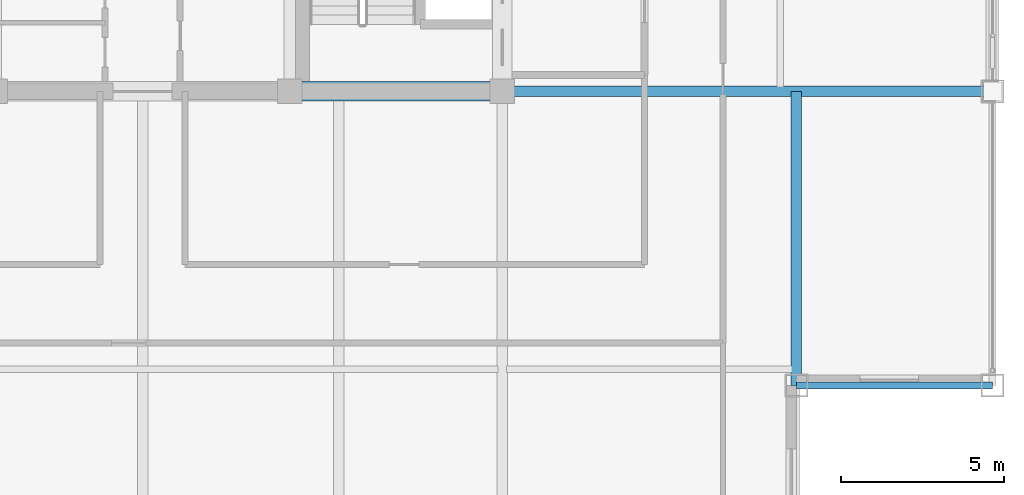
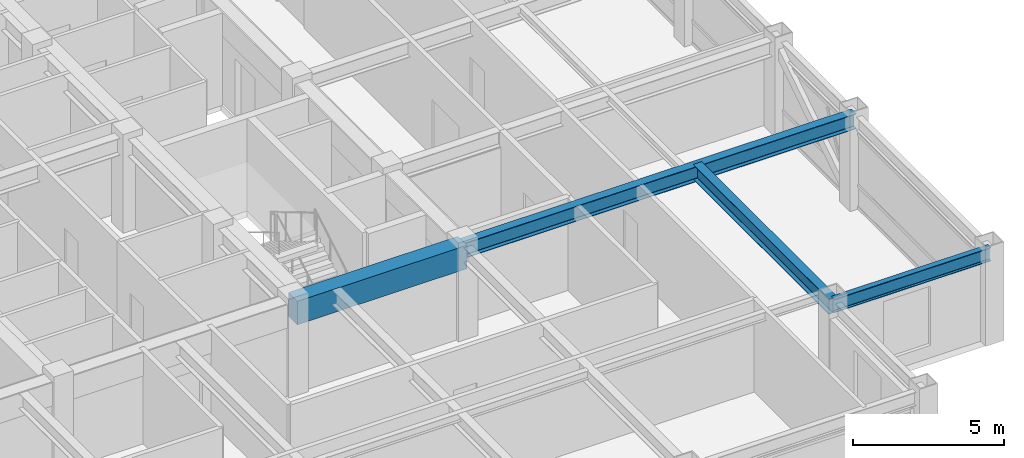
# One storey, part 9 of 29: 4 beams.
"""IFC4 building model written with IfcOpenShell, lengths in metres."""

from ifc_helpers import new_model, si_unit, direction, frame, origin, origin_2d, place, context, subcontext, project, spatial, rectangle, i_section, extrude, source, transform, mapped, material, material_profile, profile_set, type_object, element, save


model = new_model("IFC4")

# Units and contexts
model_context = context("Model", 3, precision=1e-05, world=origin(), true_north=direction((0.0, 1.0)))
body_context = subcontext(model_context, "Body", "Model", "MODEL_VIEW")
ifc_project = project(units=[si_unit("LENGTHUNIT", "METRE"), si_unit("AREAUNIT", "SQUARE_METRE"), si_unit("VOLUMEUNIT", "CUBIC_METRE"), si_unit("PLANEANGLEUNIT", "RADIAN"), si_unit("MASSUNIT", "GRAM", prefix="KILO")], contexts=[model_context])

# Site, building, storey
site_placement = place(None, origin())
site = spatial("IfcSite", under=ifc_project, at=site_placement, CompositionType="ELEMENT")
building_placement = place(site_placement, origin())
building = spatial("IfcBuilding", under=site, at=building_placement, Name="Khorayat Bourse Tower", CompositionType="ELEMENT")
storey_placement = place(building_placement, frame((0.0, 0.0, 362.300048828125)))
storey = spatial("IfcBuildingStorey", under=building, at=storey_placement, Name="L86", CompositionType="ELEMENT", Elevation=362.300048828125)

# Beams
ifc_material_1 = material(Name="Concrete C60/75", Category="concrete")
ifc_material_profile_1 = material_profile(ifc_material_1, rectangle(XDim=0.60009765625, YDim=0.949951171875, at=origin_2d()), Name="RC 600x950")
ifc_profile_set_1 = profile_set([ifc_material_profile_1], Name="Concrete C60/75")
beam_type_1 = type_object("IfcBeamType", Name="BM-COUP-950", PredefinedType="BEAM", material=ifc_profile_set_1)
shared_shape_1 = source(origin(), body_context, "Body", "SweptSolid", [
    extrude(rectangle(XDim=0.60009765625, YDim=0.949951171875, at=origin_2d()), origin(), (0.0, 0.0, 1.0), 6.5),
])
beam_1_placement = place(storey_placement, frame((4.5, -11.0, 3.264892578125), z_axis=(1.0, 0.0, 0.0), x_axis=(0.0, 1.0, 0.0)))
element("IfcBeam", 1, at=beam_1_placement, inside=storey, type_object=beam_type_1, Name="L86 BM-COUP-950 BM-L86-CRY-19", PredefinedType="BEAM", context=body_context, shape_type="MappedRepresentation", body=[
    mapped(shared_shape_1, transform((0.0, 0.0, 0.0), scale=1.0)),
])
ifc_material_2 = material(Name="Steel ASTM A992 Grade 50", Category="steel")
ifc_material_profile_2 = material_profile(ifc_material_2, i_section(OverallWidth=0.214111328125, OverallDepth=0.549072265625, WebThickness=0.0146484375, FlangeThickness=0.023681640625, FilletRadius=0.013916015625, at=origin_2d()), Name="W530X138")
ifc_profile_set_2 = profile_set([ifc_material_profile_2], Name="Steel ASTM A992 Grade 50")
beam_type_2 = type_object("IfcBeamType", Name="BM-SPAN-530", PredefinedType="SPANDREL", material=ifc_profile_set_2)
shared_shape_2 = source(origin(), body_context, "Body", "SweptSolid", [
    extrude(i_section(OverallWidth=0.214111328125, OverallDepth=0.549072265625, WebThickness=0.0146484375, FlangeThickness=0.023681640625, FilletRadius=0.013916015625, at=origin_2d()), origin(), (0.0, 0.0, 1.0), 6.0),
])
beam_2_placement = place(storey_placement, frame((20.0, -20.0, 3.46533203125), z_axis=(1.0, 0.0, 0.0), x_axis=(0.0, 1.0, 0.0)))
element("IfcBeam", 2, at=beam_2_placement, inside=storey, type_object=beam_type_2, Name="L86 BM-SPAN-530 BM-L86-SPN-031", PredefinedType="SPANDREL", context=body_context, shape_type="MappedRepresentation", body=[
    mapped(shared_shape_2, transform((0.0, 0.0, 0.0), scale=1.0)),
])
ifc_material_profile_3 = material_profile(ifc_material_2, i_section(OverallWidth=0.324951171875, OverallDepth=0.615966796875, WebThickness=0.013916015625, FlangeThickness=0.021484375, FilletRadius=0.01611328125, at=origin_2d()), Name="W610X174")
ifc_profile_set_3 = profile_set([ifc_material_profile_3], Name="Steel ASTM A992 Grade 50")
beam_type_3 = type_object("IfcBeamType", Name="BM-GIRD-610", PredefinedType="BEAM", material=ifc_profile_set_3)
shared_shape_3 = source(origin(), body_context, "Body", "SweptSolid", [
    extrude(i_section(OverallWidth=0.324951171875, OverallDepth=0.615966796875, WebThickness=0.013916015625, FlangeThickness=0.021484375, FilletRadius=0.01611328125, at=origin_2d()), origin(), (0.0, 0.0, 1.0), 15.0),
])
beam_3_placement = place(storey_placement, frame((11.0, -11.0, 3.431884765625), z_axis=(1.0, 0.0, 0.0), x_axis=(0.0, 1.0, 0.0)))
element("IfcBeam", 3, at=beam_3_placement, inside=storey, type_object=beam_type_3, Name="L86 BM-GIRD-610 BM-L86-RADX-066", PredefinedType="BEAM", context=body_context, shape_type="MappedRepresentation", body=[
    mapped(shared_shape_3, transform((0.0, 0.0, 0.0), scale=1.0)),
])
shared_shape_4 = source(origin(), body_context, "Body", "SweptSolid", [
    extrude(i_section(OverallWidth=0.324951171875, OverallDepth=0.615966796875, WebThickness=0.013916015625, FlangeThickness=0.021484375, FilletRadius=0.01611328125, at=origin_2d()), origin(), (0.0, 0.0, 1.0), 9.0),
])
beam_4_placement = place(storey_placement, frame((20.0, -20.0, 3.431884765625), z_axis=(0.0, 1.0, 0.0), x_axis=(-1.0, 0.0, 0.0)))
element("IfcBeam", 4, at=beam_4_placement, inside=storey, type_object=beam_type_3, Name="L86 BM-GIRD-610 BM-L86-CNRY-078", PredefinedType="BEAM", context=body_context, shape_type="MappedRepresentation", body=[
    mapped(shared_shape_4, transform((0.0, 0.0, 0.0), scale=1.0)),
])

save(model, "model.ifc")
